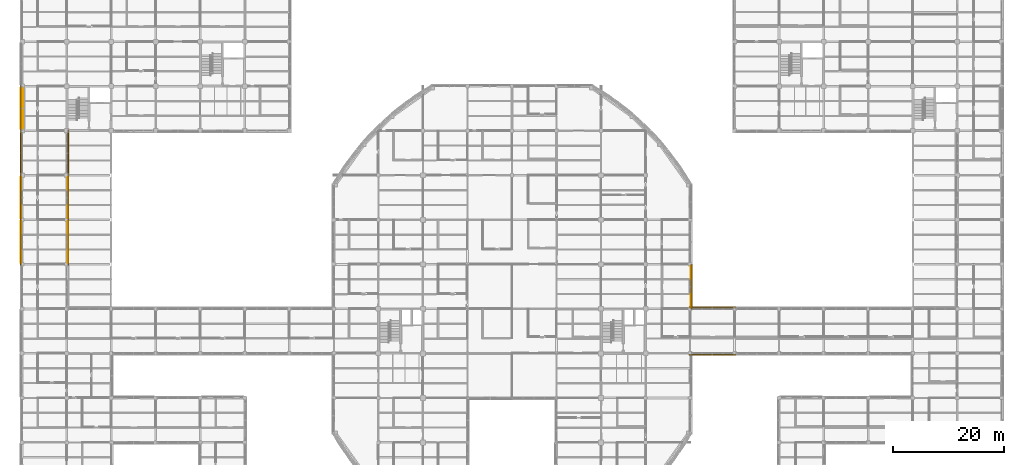
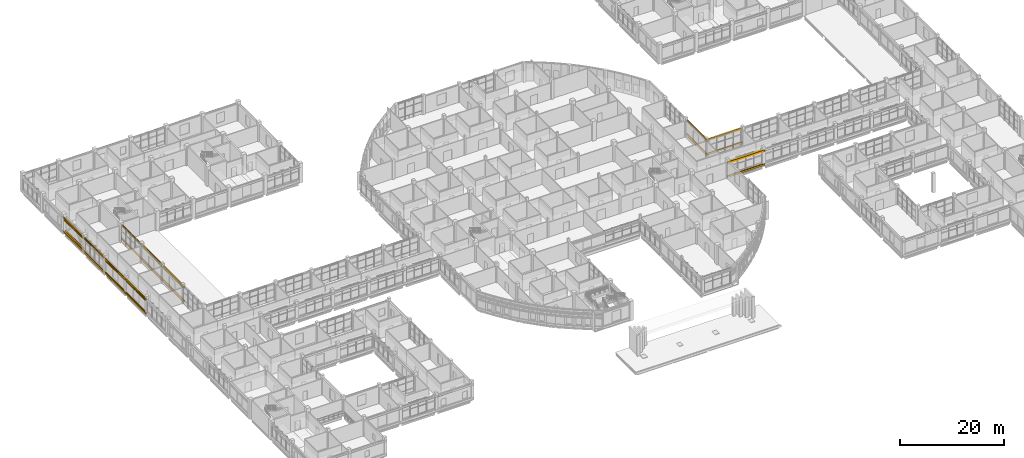
# One storey, part 114 of 121: 26 coverings, 15 shading devices.
"""IFC4 building model written with IfcOpenShell, lengths in metres."""

import ifcopenshell
import ifcopenshell.guid

model = None  # the IFC model being written
_history = None  # IfcOwnerHistory: only IFC2X3 demands one
_inside = {}  # id of a spatial element -> (the spatial element, [elements in it])
_under = {}  # id of a project, library or spatial element -> (it, [spatial elements below it])
_declared = {}  # id of a project -> (the project, [libraries it declares])
_typed = {}  # id of a type object -> (the type object, [elements of that type])
_made_of = {}  # id of a material, layer set ... -> (it, [elements and type objects made of it])


def new_model(schema):
    """Start an empty IFC model of exactly this schema.

    Asked for "IFC4X3", IfcOpenShell would pick the latest addendum, in which some entities
    have other attributes; the version numbers below select the first issue.
    IFC2X3 requires an IfcOwnerHistory on every rooted entity: one is made here for all.
    """
    global model, _history
    if schema == "IFC4X3":
        model = ifcopenshell.file(schema_version=(4, 3, 0, 0))
    else:
        model = ifcopenshell.file(schema=schema)
    _inside.clear()
    _under.clear()
    _declared.clear()
    _typed.clear()
    _made_of.clear()
    _history = None
    if model.schema == "IFC2X3":
        org = make("IfcOrganization", Name="unknown")
        user = make(
            "IfcPersonAndOrganization",
            ThePerson=make("IfcPerson", FamilyName="unknown"),
            TheOrganization=org,
        )
        app = make(
            "IfcApplication",
            ApplicationDeveloper=org,
            Version="unknown",
            ApplicationFullName="unknown",
            ApplicationIdentifier="unknown",
        )
        _history = make(
            "IfcOwnerHistory",
            OwningUser=user,
            OwningApplication=app,
            ChangeAction="ADDED",
            CreationDate=0,
        )
    return model


def make(cls, **values):
    """One entity of the class cls with the attributes given. An attribute that is None is left unset."""
    return model.create_entity(
        cls, **{name: value for name, value in values.items() if value is not None}
    )


def rooted(cls, **values):
    """An entity with a GlobalId (a new one), such as an element, a storey or a relation."""
    return make(cls, GlobalId=ifcopenshell.guid.new(), OwnerHistory=_history, **values)


def si_unit(unit_type, name, prefix=None):
    """IfcSIUnit, for example si_unit("LENGTHUNIT", "METRE", prefix="MILLI")."""
    return make("IfcSIUnit", UnitType=unit_type, Prefix=prefix, Name=name)


def derived_unit(unit_type, elements):
    """IfcDerivedUnit: a product of units, each with its exponent."""
    return make(
        "IfcDerivedUnit",
        Elements=[
            make("IfcDerivedUnitElement", Unit=unit, Exponent=power)
            for unit, power in elements
        ],
        UnitType=unit_type,
    )


def assignment(units):
    """IfcUnitAssignment: the units of a project."""
    return None if units is None else make("IfcUnitAssignment", Units=units)


def point(xyz):
    """IfcCartesianPoint."""
    return None if xyz is None else make("IfcCartesianPoint", Coordinates=xyz)


def direction(xyz):
    """IfcDirection."""
    return None if xyz is None else make("IfcDirection", DirectionRatios=xyz)


def frame(location, z_axis=None, x_axis=None):
    """IfcAxis2Placement3D, a coordinate frame: its origin and axes. An axis left out is left unset."""
    return make(
        "IfcAxis2Placement3D",
        Location=point(location),
        Axis=direction(z_axis),
        RefDirection=direction(x_axis),
    )


def frame_2d(location, x_axis=None):
    """IfcAxis2Placement2D, a coordinate frame in the plane: its origin and x axis."""
    return make(
        "IfcAxis2Placement2D", Location=point(location), RefDirection=direction(x_axis)
    )


def origin():
    """The frame at (0, 0, 0) with its axes left unset."""
    return frame((0.0, 0.0, 0.0))


def origin_2d():
    """The frame at (0, 0) in the plane with its x axis left unset."""
    return frame_2d((0.0, 0.0))


def place(relative_to, where):
    """IfcLocalPlacement: puts the frame where relative to a parent placement (None: the world)."""
    return make(
        "IfcLocalPlacement", PlacementRelTo=relative_to, RelativePlacement=where
    )


def context(
    kind, dimensions, precision=None, world=None, true_north=None, identifier=None
):
    """IfcGeometricRepresentationContext, for example the 3D "Model" context."""
    return make(
        "IfcGeometricRepresentationContext",
        ContextIdentifier=identifier,
        ContextType=kind,
        CoordinateSpaceDimension=dimensions,
        Precision=precision,
        WorldCoordinateSystem=world,
        TrueNorth=true_north,
    )


def subcontext(parent, identifier, kind, view, scale=None):
    """IfcGeometricRepresentationSubContext, for example "Body" below "Model"."""
    return make(
        "IfcGeometricRepresentationSubContext",
        ContextIdentifier=identifier,
        ContextType=kind,
        ParentContext=parent,
        TargetScale=scale,
        TargetView=view,
    )


def project(units=None, contexts=None):
    """IfcProject with its units and contexts."""
    return rooted(
        "IfcProject",
        Name="project",
        RepresentationContexts=contexts,
        UnitsInContext=assignment(units),
    )


def spatial(cls, under=None, at=None, **own):
    """A site, building, storey or space (cls), placed at a placement, below another one or the project."""
    s = rooted(cls, ObjectPlacement=at, **own)
    if under is not None:
        _under.setdefault(under.id(), (under, []))[1].append(s)
    return s


def profile(cls, at=None, kind="AREA", **sizes):
    """A parametric profile (cls). Its sizes go by their IFC names, for example OverallWidth=200.0."""
    return make(cls, ProfileType=kind, Position=at, **sizes)


def rectangle(**sizes):
    """IfcRectangleProfileDef."""
    return profile("IfcRectangleProfileDef", **sizes)


def circle(**sizes):
    """IfcCircleProfileDef."""
    return profile("IfcCircleProfileDef", **sizes)


def extrude(swept, where, along, depth):
    """IfcExtrudedAreaSolid: the profile swept, set in the frame where, extruded along a direction by depth."""
    return make(
        "IfcExtrudedAreaSolid",
        SweptArea=swept,
        Position=where,
        ExtrudedDirection=direction(along),
        Depth=depth,
    )


def shape(context_of_items, identifier, shape_type, items):
    """IfcShapeRepresentation: the items that make up one representation, for example the "Body"."""
    return make(
        "IfcShapeRepresentation",
        ContextOfItems=context_of_items,
        RepresentationIdentifier=identifier,
        RepresentationType=shape_type,
        Items=items,
    )


def material(Name=None, Category=None):
    """IfcMaterial."""
    return make("IfcMaterial", Name=Name, Category=Category)


def layer(
    of_material, thickness, ventilated=None, Name=None, Category=None, Priority=None
):
    """IfcMaterialLayer: one layer of a wall or slab, of a material (None: an air gap)."""
    return make(
        "IfcMaterialLayer",
        Material=of_material,
        LayerThickness=thickness,
        IsVentilated=ventilated,
        Name=Name,
        Category=Category,
        Priority=Priority,
    )


def layer_set(layers, Name=None):
    """IfcMaterialLayerSet."""
    return make("IfcMaterialLayerSet", MaterialLayers=layers, LayerSetName=Name)


def material_profile(
    of_material, cross_section, Name=None, Category=None, Priority=None
):
    """IfcMaterialProfile: a cross section and its material."""
    return make(
        "IfcMaterialProfile",
        Name=Name,
        Material=of_material,
        Profile=cross_section,
        Priority=Priority,
        Category=Category,
    )


def profile_set(profiles, Name=None, composite=None):
    """IfcMaterialProfileSet."""
    return make(
        "IfcMaterialProfileSet",
        Name=Name,
        MaterialProfiles=profiles,
        CompositeProfile=composite,
    )


def made_of(thing, what):
    """Note that an element or type object is made of a material, layer set ...; save() writes the relation."""
    if what is not None:
        _made_of.setdefault(what.id(), (what, []))[1].append(thing)
    return thing


def type_object(cls, material=None, **own):
    """A type object (cls), such as IfcWallType, which elements share."""
    return made_of(rooted(cls, **own), material)


def element(
    cls,
    number,
    at=None,
    inside=None,
    cuts=None,
    type_object=None,
    material=None,
    context=None,
    identifier="Body",
    shape_type=None,
    held_by="IfcProductDefinitionShape",
    body=None,
    shapes=None,
    **own,
):
    """One element of the class cls, such as IfcWall. Its Tag is "e" and its number.

    at: its placement. inside: the storey or other place that contains it. cuts: it is an
    opening in that element (IfcRelVoidsElement). A single representation is given by context,
    identifier, shape_type and body (its items); several are given by shapes. held_by: the class
    of the entity that holds the representations. save() writes the other relations.
    """
    e = rooted(cls, Tag="e%d" % number, ObjectPlacement=at, **own)
    if body is not None:
        shapes = [shape(context, identifier, shape_type, body)]
    if shapes is not None:
        e.Representation = make(held_by, Representations=shapes)
    if inside is not None:
        _inside.setdefault(inside.id(), (inside, []))[1].append(e)
    if cuts is not None:
        rooted(
            "IfcRelVoidsElement", RelatingBuildingElement=cuts, RelatedOpeningElement=e
        )
    if type_object is not None:
        _typed.setdefault(type_object.id(), (type_object, []))[1].append(e)
    return made_of(e, material)


def aggregate(whole, parts):
    """IfcRelAggregates: a whole, such as a stair, and the parts it consists of."""
    return rooted("IfcRelAggregates", RelatingObject=whole, RelatedObjects=parts)


def save(model, path):
    """Write the relations noted so far, then the file.

    IfcRelAggregates (storeys below a building ...), IfcRelContainedInSpatialStructure (elements
    in a storey), IfcRelDefinesByType, IfcRelAssociatesMaterial and IfcRelDeclares: one each for
    every whole, place, type object, material and project.
    """
    for whole, parts in _under.values():
        aggregate(whole, parts)
    for where, things in _inside.values():
        rooted(
            "IfcRelContainedInSpatialStructure",
            RelatedElements=things,
            RelatingStructure=where,
        )
    for kind, things in _typed.values():
        rooted("IfcRelDefinesByType", RelatedObjects=things, RelatingType=kind)
    for what, things in _made_of.values():
        rooted("IfcRelAssociatesMaterial", RelatedObjects=things, RelatingMaterial=what)
    for by, libraries in _declared.values():
        rooted("IfcRelDeclares", RelatingContext=by, RelatedDefinitions=libraries)
    model.write(path)


model = new_model("IFC4")

# Units and contexts
model_context = context("Model", 3, precision=1e-05, world=origin(), true_north=direction((0.0, 1.0)))
body_context = subcontext(model_context, "Body", "Model", "MODEL_VIEW")
ifc_project = project(units=[si_unit("LENGTHUNIT", "METRE"), si_unit("AREAUNIT", "SQUARE_METRE"), si_unit("VOLUMEUNIT", "CUBIC_METRE"), si_unit("PLANEANGLEUNIT", "RADIAN"), si_unit("MASSUNIT", "GRAM", prefix="KILO"), derived_unit("THERMALTRANSMITTANCEUNIT", [(si_unit("MASSUNIT", "GRAM", prefix="KILO"), 1), (si_unit("TIMEUNIT", "SECOND"), -3), (si_unit("THERMODYNAMICTEMPERATUREUNIT", "KELVIN"), -1)])], contexts=[model_context])

# Site, building, storey
site_placement = place(None, origin())
site = spatial("IfcSite", under=ifc_project, at=site_placement, CompositionType="ELEMENT")
building_placement = place(site_placement, origin())
building = spatial("IfcBuilding", under=site, at=building_placement, Name="Veyamyaing Civic Hall", CompositionType="ELEMENT")
storey_placement = place(building_placement, frame((0.0, 0.0, 5.280029296875)))
storey = spatial("IfcBuildingStorey", under=building, at=storey_placement, Name="L01", CompositionType="ELEMENT", Elevation=5.280029296875)

# Coverings
ifc_material_1 = material(Name="Buff sandstone ashlar cladding", Category="masonry")
ifc_layer_1 = layer(ifc_material_1, 0.050048828125, Name="Buff sandstone ashlar cladding")
ifc_layer_set_1 = layer_set([ifc_layer_1], Name="Buff sandstone ashlar cladding")
covering_type_1 = type_object("IfcCoveringType", Name="CL-01", PredefinedType="CLADDING", material=ifc_layer_set_1)
for number, where, z_axis, x_axis, name in (
    (1, (-0.160888671875, 68.0, 0.044921875), (0.0, 0.0, 1.0), (0.0, 1.0, 0.0), "Facade spandrel cladding CL-01 L01 W 1.9"),
    (2, (8.160888671875, 68.0, 0.044921875), (0.0, 0.0, 1.0), (0.0, 1.0, 0.0), "Facade spandrel cladding CL-01 L01 E 1.9"),
):
    element("IfcCovering", number, at=place(storey_placement, frame(where, z_axis=z_axis, x_axis=x_axis)), inside=storey, type_object=covering_type_1, Name=name, PredefinedType="CLADDING", context=body_context, shape_type="SweptSolid", body=[
        extrude(rectangle(XDim=7.35009765625, YDim=0.050048828125, at=origin_2d()), origin(), (0.0, 0.0, 1.0), 0.75),
    ])
for number, where, z_axis, x_axis, name in (
    (3, (-0.160888671875, 75.96240234375, 0.044921875), (0.0, 0.0, 1.0), (0.0, 1.0, 0.0), "Facade spandrel cladding CL-01 L01 W 1.10"),
    (4, (8.160888671875, 75.96240234375, 0.044921875), (0.0, 0.0, 1.0), (0.0, 1.0, 0.0), "Facade spandrel cladding CL-01 L01 E 1.10"),
):
    element("IfcCovering", number, at=place(storey_placement, frame(where, z_axis=z_axis, x_axis=x_axis)), inside=storey, type_object=covering_type_1, Name=name, PredefinedType="CLADDING", context=body_context, shape_type="SweptSolid", body=[
        extrude(rectangle(XDim=7.27490234375, YDim=0.050048828125, at=origin_2d()), origin(), (0.0, 0.0, 1.0), 0.75),
    ])
covering_1_placement = place(storey_placement, frame((0.138916015625, 92.0, 0.044921875), z_axis=(0.0, 0.0, 1.0), x_axis=(0.0, 1.0, 0.0)))
element("IfcCovering", 5, at=covering_1_placement, inside=storey, type_object=covering_type_1, Name="Facade spandrel cladding CL-01 L01 W 1.12", PredefinedType="CLADDING", context=body_context, shape_type="SweptSolid", body=[
    extrude(rectangle(XDim=7.199951171875, YDim=0.050048828125, at=origin_2d()), origin(), (0.0, 0.0, 1.0), 0.75),
])
covering_2_placement = place(storey_placement, frame((120.173583984375, 60.0, 0.044921875), z_axis=(0.0, 0.0, 1.0), x_axis=(0.0, 1.0, 0.0)))
element("IfcCovering", 6, at=covering_2_placement, inside=storey, type_object=covering_type_1, Name="Facade spandrel cladding CL-01 L01 E 15.8", PredefinedType="CLADDING", context=body_context, shape_type="SweptSolid", body=[
    extrude(rectangle(XDim=7.35009765625, YDim=0.050048828125, at=origin_2d()), origin(), (0.0, 0.0, 1.0), 0.75),
])
ifc_material_2 = material(Name="White powder-coated aluminium 6063-T6", Category="aluminium")
ifc_layer_2 = layer(ifc_material_2, 0.2099609375, Name="White powder-coated aluminium 6063-T6")
ifc_layer_set_2 = layer_set([ifc_layer_2], Name="White powder-coated aluminium 6063-T6")
covering_type_2 = type_object("IfcCoveringType", Name="CL-03", PredefinedType="CLADDING", material=ifc_layer_set_2)
for number, where, z_axis, x_axis, name in (
    (7, (-0.239990234375, 68.0, 3.593994140625), (0.0, 0.0, 1.0), (0.0, 1.0, 0.0), "Continuous white head fascia ribbon CL-03 L01 W 1.9"),
    (8, (-0.239990234375, 68.0, 0.280029296875), (0.0, 0.0, 1.0), (0.0, 1.0, 0.0), "Continuous white sill fascia ribbon CL-03 L01 W 1.9"),
    (9, (8.239990234375, 68.0, 3.533935546875), (0.0, 0.0, 1.0), (0.0, 1.0, 0.0), "Continuous white head fascia ribbon CL-03 L01 E 1.9"),
    (10, (8.239990234375, 68.0, 0.280029296875), (0.0, 0.0, 1.0), (0.0, 1.0, 0.0), "Continuous white sill fascia ribbon CL-03 L01 E 1.9"),
    (11, (-0.239990234375, 76.0, 3.533935546875), (0.0, 0.0, 1.0), (0.0, 1.0, 0.0), "Continuous white head fascia ribbon CL-03 L01 W 1.10"),
    (12, (-0.239990234375, 76.0, 0.280029296875), (0.0, 0.0, 1.0), (0.0, 1.0, 0.0), "Continuous white sill fascia ribbon CL-03 L01 W 1.10"),
    (13, (8.239990234375, 76.0, 3.596923828125), (0.0, 0.0, 1.0), (0.0, 1.0, 0.0), "Continuous white head fascia ribbon CL-03 L01 E 1.10"),
    (14, (8.239990234375, 76.0, 0.280029296875), (0.0, 0.0, 1.0), (0.0, 1.0, 0.0), "Continuous white sill fascia ribbon CL-03 L01 E 1.10"),
    (15, (-0.239990234375, 84.0, 3.596923828125), (0.0, 0.0, 1.0), (0.0, 1.0, 0.0), "Continuous white head fascia ribbon CL-03 L01 W 1.11"),
    (16, (-0.239990234375, 84.0, 0.280029296875), (0.0, 0.0, 1.0), (0.0, 1.0, 0.0), "Continuous white sill fascia ribbon CL-03 L01 W 1.11"),
    (17, (8.239990234375, 84.0, 3.530029296875), (0.0, 0.0, 1.0), (0.0, 1.0, 0.0), "Continuous white head fascia ribbon CL-03 L01 E 1.11"),
    (18, (8.239990234375, 84.0, 0.280029296875), (0.0, 0.0, 1.0), (0.0, 1.0, 0.0), "Continuous white sill fascia ribbon CL-03 L01 E 1.11"),
    (19, (-0.239990234375, 92.0, 3.530029296875), (0.0, 0.0, 1.0), (0.0, 1.0, 0.0), "Continuous white head fascia ribbon CL-03 L01 W 1.12"),
    (20, (-0.239990234375, 92.0, 0.280029296875), (0.0, 0.0, 1.0), (0.0, 1.0, 0.0), "Continuous white sill fascia ribbon CL-03 L01 W 1.12"),
):
    element("IfcCovering", number, at=place(storey_placement, frame(where, z_axis=z_axis, x_axis=x_axis)), inside=storey, type_object=covering_type_2, Name=name, PredefinedType="CLADDING", context=body_context, shape_type="SweptSolid", body=[
        extrude(rectangle(XDim=8.360107421875, YDim=0.2099609375, at=origin_2d()), origin(), (0.0, 0.0, 1.0), 0.39990234375),
    ])
for number, where, z_axis, x_axis, name in (
    (21, (120.239990234375, 60.0, 3.596923828125), (0.0, 0.0, 1.0), (0.0, 1.0, 0.0), "Continuous white head fascia ribbon CL-03 L01 E 15.8"),
    (22, (120.239990234375, 60.0, 0.280029296875), (0.0, 0.0, 1.0), (0.0, 1.0, 0.0), "Continuous white sill fascia ribbon CL-03 L01 E 15.8"),
):
    element("IfcCovering", number, at=place(storey_placement, frame(where, z_axis=z_axis, x_axis=x_axis)), inside=storey, type_object=covering_type_2, Name=name, PredefinedType="CLADDING", context=body_context, shape_type="SweptSolid", body=[
        extrude(rectangle(XDim=8.1201171875, YDim=0.2099609375, at=origin_2d()), origin(), (0.0, 0.0, 1.0), 0.39990234375),
    ])
for number, where, z_axis, x_axis, name in (
    (23, (124.0, 47.760009765625, 3.533935546875), (0.0, 0.0, 1.0), (1.0, 0.0, 0.0), "Continuous white head fascia ribbon CL-03 L01 S 16.7"),
    (24, (124.0, 47.760009765625, 0.280029296875), (0.0, 0.0, 1.0), (1.0, 0.0, 0.0), "Continuous white sill fascia ribbon CL-03 L01 S 16.7"),
    (25, (124.0, 56.239990234375, 3.596923828125), (0.0, 0.0, 1.0), (1.0, 0.0, 0.0), "Continuous white head fascia ribbon CL-03 L01 N 16.7"),
    (26, (124.0, 56.239990234375, 0.280029296875), (0.0, 0.0, 1.0), (1.0, 0.0, 0.0), "Continuous white sill fascia ribbon CL-03 L01 N 16.7"),
):
    element("IfcCovering", number, at=place(storey_placement, frame(where, z_axis=z_axis, x_axis=x_axis)), inside=storey, type_object=covering_type_2, Name=name, PredefinedType="CLADDING", context=body_context, shape_type="SweptSolid", body=[
        extrude(rectangle(XDim=8.360107421875, YDim=0.2099609375, at=origin_2d()), origin(), (0.0, 0.0, 1.0), 0.39990234375),
    ])

# Shading devices
ifc_material_3 = material(Name="Anodised aluminium 6063-T6", Category="aluminium")
ifc_material_profile_1 = material_profile(ifc_material_3, rectangle(XDim=0.050048828125, YDim=0.25, at=origin_2d()), Name="LOUVRE-BLADE-50X250")
ifc_profile_set_1 = profile_set([ifc_material_profile_1], Name="Anodised aluminium 6063-T6")
shading_device_type_1 = type_object("IfcShadingDeviceType", Name="LV-01", PredefinedType="JALOUSIE", material=ifc_profile_set_1)
for number, where, z_axis, x_axis, name in (
    (27, (-0.219970703125, 64.284912109375, 3.424072265625), (0.0, 1.0, 0.0), (-1.0, 0.0, 0.0), "Monsoon solar louvre LV-01 L01 W 1.9"),
    (28, (8.219970703125, 64.284912109375, 3.364013671875), (0.0, 1.0, 0.0), (-1.0, 0.0, 0.0), "Monsoon solar louvre LV-01 L01 E 1.9"),
):
    element("IfcShadingDevice", number, at=place(storey_placement, frame(where, z_axis=z_axis, x_axis=x_axis)), inside=storey, type_object=shading_device_type_1, Name=name, PredefinedType="JALOUSIE", context=body_context, shape_type="SweptSolid", body=[
        extrude(rectangle(XDim=0.050048828125, YDim=0.25, at=origin_2d()), origin(), (0.0, 0.0, 1.0), 7.43017578125),
    ])
for number, where, z_axis, x_axis, name in (
    (29, (-0.219970703125, 72.284912109375, 3.364013671875), (0.0, 1.0, 0.0), (-1.0, 0.0, 0.0), "Monsoon solar louvre LV-01 L01 W 1.10"),
    (30, (8.219970703125, 72.284912109375, 3.427001953125), (0.0, 1.0, 0.0), (-1.0, 0.0, 0.0), "Monsoon solar louvre LV-01 L01 E 1.10"),
):
    element("IfcShadingDevice", number, at=place(storey_placement, frame(where, z_axis=z_axis, x_axis=x_axis)), inside=storey, type_object=shading_device_type_1, Name=name, PredefinedType="JALOUSIE", context=body_context, shape_type="SweptSolid", body=[
        extrude(rectangle(XDim=0.050048828125, YDim=0.25, at=origin_2d()), origin(), (0.0, 0.0, 1.0), 7.35498046875),
    ])
shading_device_1_placement = place(storey_placement, frame((-0.219970703125, 88.360107421875, 3.35986328125), z_axis=(0.0, 1.0, 0.0), x_axis=(-1.0, 0.0, 0.0)))
element("IfcShadingDevice", 31, at=shading_device_1_placement, inside=storey, type_object=shading_device_type_1, Name="Monsoon solar louvre LV-01 L01 W 1.12", PredefinedType="JALOUSIE", context=body_context, shape_type="SweptSolid", body=[
    extrude(rectangle(XDim=0.050048828125, YDim=0.25, at=origin_2d()), origin(), (0.0, 0.0, 1.0), 7.27978515625),
])
ifc_material_profile_2 = material_profile(ifc_material_2, circle(Radius=0.110107421875, at=origin_2d()), Name="SHADE-TUBE-220")
ifc_profile_set_2 = profile_set([ifc_material_profile_2], Name="White powder-coated aluminium 6063-T6")
shading_device_type_2 = type_object("IfcShadingDeviceType", Name="SH-01", PredefinedType="USERDEFINED", material=ifc_profile_set_2)
shading_device_2_placement = place(storey_placement, frame((120.239990234375, 56.284912109375, 3.757080078125), z_axis=(0.0, 1.0, 0.0), x_axis=(-1.0, 0.0, 0.0)))
element("IfcShadingDevice", 32, at=shading_device_2_placement, inside=storey, type_object=shading_device_type_2, Name="Horizontal white sunshade ribbon SH-01 L01 E 15.8", ObjectType="SUNSHADE", PredefinedType="USERDEFINED", context=body_context, shape_type="SweptSolid", body=[
    extrude(circle(Radius=0.110107421875, at=origin_2d()), origin(), (0.0, 0.0, 1.0), 7.43017578125),
])
ifc_material_profile_3 = material_profile(ifc_material_2, circle(Radius=0.090087890625, at=origin_2d()), Name="SHADE-TUBE-180")
ifc_profile_set_3 = profile_set([ifc_material_profile_3], Name="White powder-coated aluminium 6063-T6")
shading_device_type_3 = type_object("IfcShadingDeviceType", Name="SH-02", PredefinedType="USERDEFINED", material=ifc_profile_set_3)
for number, where, z_axis, x_axis, name in (
    (33, (-0.239990234375, 64.284912109375, 3.75390625), (0.0, 1.0, 0.0), (-1.0, 0.0, 0.0), "Horizontal white sunshade ribbon SH-02 L01 W 1.9"),
    (34, (8.239990234375, 64.284912109375, 3.694091796875), (0.0, 1.0, 0.0), (-1.0, 0.0, 0.0), "Horizontal white sunshade ribbon SH-02 L01 E 1.9"),
):
    element("IfcShadingDevice", number, at=place(storey_placement, frame(where, z_axis=z_axis, x_axis=x_axis)), inside=storey, type_object=shading_device_type_3, Name=name, ObjectType="SUNSHADE", PredefinedType="USERDEFINED", context=body_context, shape_type="SweptSolid", body=[
        extrude(circle(Radius=0.090087890625, at=origin_2d()), origin(), (0.0, 0.0, 1.0), 7.43017578125),
    ])
for number, where, z_axis, x_axis, name in (
    (35, (-0.239990234375, 72.284912109375, 3.694091796875), (0.0, 1.0, 0.0), (-1.0, 0.0, 0.0), "Horizontal white sunshade ribbon SH-02 L01 W 1.10"),
    (36, (8.239990234375, 72.284912109375, 3.757080078125), (0.0, 1.0, 0.0), (-1.0, 0.0, 0.0), "Horizontal white sunshade ribbon SH-02 L01 E 1.10"),
):
    element("IfcShadingDevice", number, at=place(storey_placement, frame(where, z_axis=z_axis, x_axis=x_axis)), inside=storey, type_object=shading_device_type_3, Name=name, ObjectType="SUNSHADE", PredefinedType="USERDEFINED", context=body_context, shape_type="SweptSolid", body=[
        extrude(circle(Radius=0.090087890625, at=origin_2d()), origin(), (0.0, 0.0, 1.0), 7.35498046875),
    ])
shading_device_3_placement = place(storey_placement, frame((-0.239990234375, 80.360107421875, 3.757080078125), z_axis=(0.0, 1.0, 0.0), x_axis=(-1.0, 0.0, 0.0)))
element("IfcShadingDevice", 37, at=shading_device_3_placement, inside=storey, type_object=shading_device_type_3, Name="Horizontal white sunshade ribbon SH-02 L01 W 1.11", ObjectType="SUNSHADE", PredefinedType="USERDEFINED", context=body_context, shape_type="SweptSolid", body=[
    extrude(circle(Radius=0.090087890625, at=origin_2d()), origin(), (0.0, 0.0, 1.0), 7.27978515625),
])
shading_device_4_placement = place(storey_placement, frame((8.239990234375, 80.360107421875, 3.68994140625), z_axis=(0.0, 1.0, 0.0), x_axis=(-1.0, 0.0, 0.0)))
element("IfcShadingDevice", 38, at=shading_device_4_placement, inside=storey, type_object=shading_device_type_3, Name="Horizontal white sunshade ribbon SH-02 L01 E 1.11", ObjectType="SUNSHADE", PredefinedType="USERDEFINED", context=body_context, shape_type="SweptSolid", body=[
    extrude(circle(Radius=0.090087890625, at=origin_2d()), origin(), (0.0, 0.0, 1.0), 7.2548828125),
])
shading_device_5_placement = place(storey_placement, frame((-0.239990234375, 88.360107421875, 3.68994140625), z_axis=(0.0, 1.0, 0.0), x_axis=(-1.0, 0.0, 0.0)))
element("IfcShadingDevice", 39, at=shading_device_5_placement, inside=storey, type_object=shading_device_type_3, Name="Horizontal white sunshade ribbon SH-02 L01 W 1.12", ObjectType="SUNSHADE", PredefinedType="USERDEFINED", context=body_context, shape_type="SweptSolid", body=[
    extrude(circle(Radius=0.090087890625, at=origin_2d()), origin(), (0.0, 0.0, 1.0), 7.27978515625),
])
for number, where, z_axis, x_axis, name in (
    (40, (120.284912109375, 47.760009765625, 3.694091796875), (1.0, 0.0, 0.0), (0.0, 1.0, 0.0), "Horizontal white sunshade ribbon SH-02 L01 S 16.7"),
    (41, (120.284912109375, 56.239990234375, 3.757080078125), (1.0, 0.0, 0.0), (0.0, 1.0, 0.0), "Horizontal white sunshade ribbon SH-02 L01 N 16.7"),
):
    element("IfcShadingDevice", number, at=place(storey_placement, frame(where, z_axis=z_axis, x_axis=x_axis)), inside=storey, type_object=shading_device_type_3, Name=name, ObjectType="SUNSHADE", PredefinedType="USERDEFINED", context=body_context, shape_type="SweptSolid", body=[
        extrude(circle(Radius=0.090087890625, at=origin_2d()), origin(), (0.0, 0.0, 1.0), 7.43017578125),
    ])

save(model, "model.ifc")
